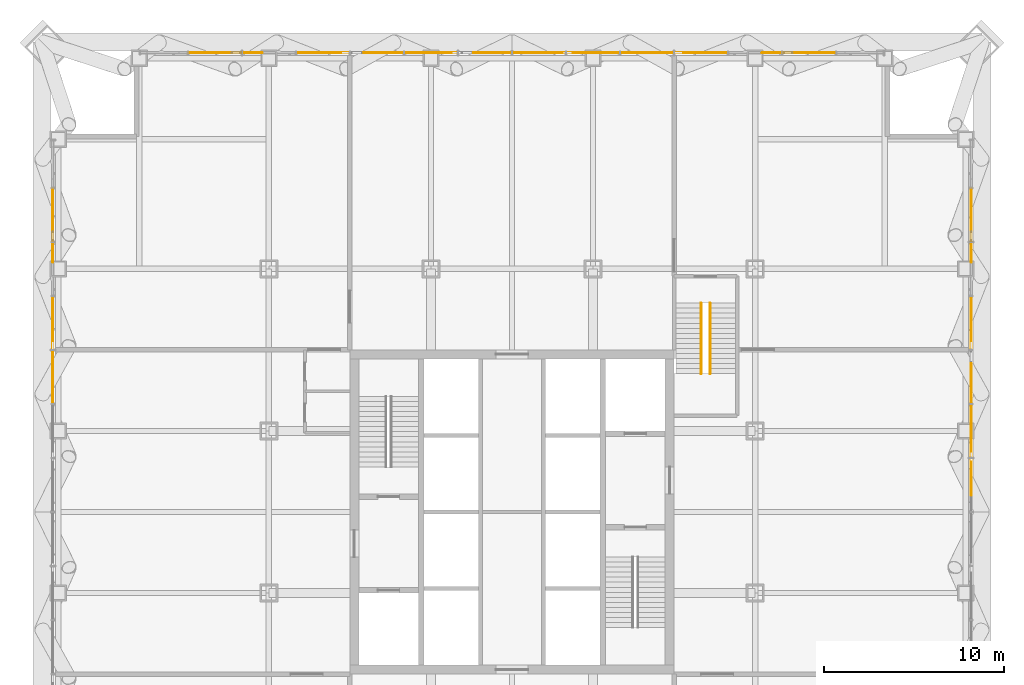
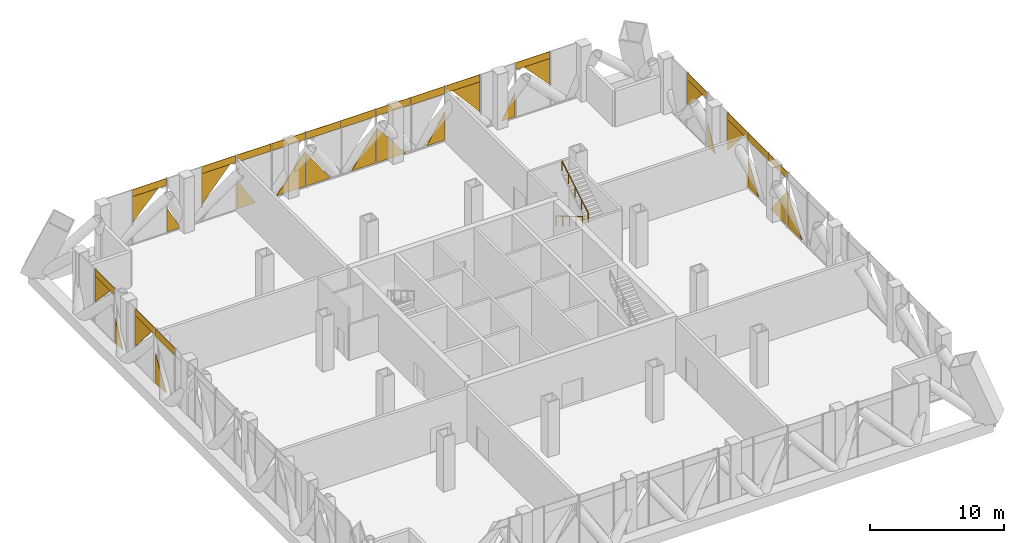
# One storey, part 17 of 26: 39 coverings, 2 railings.
"""IFC4 building model written with IfcOpenShell, lengths in metres."""

from ifc_helpers import new_model, si_unit, direction, frame, origin, origin_2d, place, context, subcontext, project, spatial, polyline, circle, outline, extrude, material, layer, layer_set, type_object, element, save


model = new_model("IFC4")

# Units and contexts
model_context = context("Model", 3, precision=1e-05, world=origin(), true_north=direction((0.0, 1.0)))
body_context = subcontext(model_context, "Body", "Model", "MODEL_VIEW")
ifc_project = project(units=[si_unit("LENGTHUNIT", "METRE"), si_unit("AREAUNIT", "SQUARE_METRE"), si_unit("VOLUMEUNIT", "CUBIC_METRE"), si_unit("PLANEANGLEUNIT", "RADIAN"), si_unit("MASSUNIT", "GRAM", prefix="KILO")], contexts=[model_context])

# Site, building, storey
site_placement = place(None, origin())
site = spatial("IfcSite", under=ifc_project, at=site_placement, CompositionType="ELEMENT")
building_placement = place(site_placement, origin())
building = spatial("IfcBuilding", under=site, at=building_placement, Name="Malebo Sky Hospital", CompositionType="ELEMENT")
storey_placement = place(building_placement, frame((0.0, 0.0, 95.0)))
storey = spatial("IfcBuildingStorey", under=building, at=storey_placement, Name="L22", CompositionType="ELEMENT", Elevation=95.0)

# Coverings
ifc_material_1 = material(Name="Anodised aluminium, natural silver insulated infill panel", Category="aluminium")
ifc_layer = layer(ifc_material_1, 0.0400390625)
ifc_layer_set = layer_set([ifc_layer], Name="BRACE INFILL PANEL 40")
covering_type = type_object("IfcCoveringType", Name="BRACE INFILL PANEL 40", PredefinedType="CLADDING", material=ifc_layer_set)
covering_1_placement = place(storey_placement, frame((43.162353515625, 87.5, 1.97998046875), z_axis=(0.0, 0.0, 1.0), x_axis=(1.0, 0.0, 0.0)))
element("IfcCovering", 1, at=covering_1_placement, inside=storey, type_object=covering_type, Name="Brace infill panel 2.1", PredefinedType="CLADDING", context=body_context, shape_type="SweptSolid", body=[
    extrude(outline(polyline([(-1.124755859375, 0.0), (1.124755859375, 2.38330078125), (-1.124755859375, 2.38330078125), (-1.124755859375, 0.0)])), frame((0.0, 0.02001953125, 0.0), z_axis=(0.0, -1.0, 0.0), x_axis=(1.0, 0.0, 0.0)), (0.0, 0.0, 1.0), 0.0400390625),
])
covering_2_placement = place(storey_placement, frame((43.5, 87.5, 4.36328125), z_axis=(0.0, 0.0, 1.0), x_axis=(1.0, 0.0, 0.0)))
element("IfcCovering", 2, at=covering_2_placement, inside=storey, type_object=covering_type, Name="Brace infill panel 2.2", PredefinedType="CLADDING", context=body_context, shape_type="SweptSolid", body=[
    extrude(outline(polyline([(-1.46240234375, 0.0), (1.46240234375, 0.0), (1.46240234375, 0.626708984375), (-1.46240234375, 0.626708984375), (-1.46240234375, 0.0)])), frame((0.0, 0.02001953125, 0.0), z_axis=(0.0, -1.0, 0.0), x_axis=(1.0, 0.0, 0.0)), (0.0, 0.0, 1.0), 0.0400390625),
])
covering_3_placement = place(storey_placement, frame((45.60205078125, 87.5, 0.10009765625), z_axis=(0.0, 0.0, 1.0), x_axis=(1.0, 0.0, 0.0)))
element("IfcCovering", 3, at=covering_3_placement, inside=storey, type_object=covering_type, Name="Brace infill panel 3.1", PredefinedType="CLADDING", context=body_context, shape_type="SweptSolid", body=[
    extrude(outline(polyline([(-0.564453125, 0.0), (0.564453125, 0.0), (-0.564453125, 2.160888671875), (-0.564453125, 0.0)])), frame((0.0, 0.02001953125, 0.0), z_axis=(0.0, -1.0, 0.0), x_axis=(1.0, 0.0, 0.0)), (0.0, 0.0, 1.0), 0.0400390625),
])
covering_4_placement = place(storey_placement, frame((49.230712890625, 87.5, 1.5751953125), z_axis=(0.0, 0.0, 1.0), x_axis=(1.0, 0.0, 0.0)))
element("IfcCovering", 4, at=covering_4_placement, inside=storey, type_object=covering_type, Name="Brace infill panel 4.1", PredefinedType="CLADDING", context=body_context, shape_type="SweptSolid", body=[
    extrude(outline(polyline([(-1.193115234375, 0.0), (1.193115234375, 2.776123046875), (-1.193115234375, 2.776123046875), (-1.193115234375, 0.0)])), frame((0.0, 0.02001953125, 0.0), z_axis=(0.0, -1.0, 0.0), x_axis=(1.0, 0.0, 0.0)), (0.0, 0.0, 1.0), 0.0400390625),
])
covering_5_placement = place(storey_placement, frame((49.5, 87.5, 4.351318359375), z_axis=(0.0, 0.0, 1.0), x_axis=(1.0, 0.0, 0.0)))
element("IfcCovering", 5, at=covering_5_placement, inside=storey, type_object=covering_type, Name="Brace infill panel 4.2", PredefinedType="CLADDING", context=body_context, shape_type="SweptSolid", body=[
    extrude(outline(polyline([(-1.46240234375, 0.0), (1.46240234375, 0.0), (1.46240234375, 0.638671875), (-1.46240234375, 0.638671875), (-1.46240234375, 0.0)])), frame((0.0, 0.02001953125, 0.0), z_axis=(0.0, -1.0, 0.0), x_axis=(1.0, 0.0, 0.0)), (0.0, 0.0, 1.0), 0.0400390625),
])
covering_6_placement = place(storey_placement, frame((51.83251953125, 87.5, 0.099853515625), z_axis=(0.0, 0.0, 1.0), x_axis=(1.0, 0.0, 0.0)))
element("IfcCovering", 6, at=covering_6_placement, inside=storey, type_object=covering_type, Name="Brace infill panel 5.1", PredefinedType="CLADDING", context=body_context, shape_type="SweptSolid", body=[
    extrude(outline(polyline([(-0.795166015625, 0.0), (0.794921875, 0.0), (-0.795166015625, 2.62060546875), (-0.795166015625, 0.0)])), frame((0.0, 0.02001953125, 0.0), z_axis=(0.0, -1.0, 0.0), x_axis=(1.0, 0.0, 0.0)), (0.0, 0.0, 1.0), 0.0400390625),
])
covering_7_placement = place(storey_placement, frame((52.5, 87.5, 4.351318359375), z_axis=(0.0, 0.0, 1.0), x_axis=(1.0, 0.0, 0.0)))
element("IfcCovering", 7, at=covering_7_placement, inside=storey, type_object=covering_type, Name="Brace infill panel 5.3", PredefinedType="CLADDING", context=body_context, shape_type="SweptSolid", body=[
    extrude(outline(polyline([(-1.46240234375, 0.0), (1.46240234375, 0.0), (1.46240234375, 0.638671875), (-1.46240234375, 0.638671875), (-1.46240234375, 0.0)])), frame((0.0, 0.02001953125, 0.0), z_axis=(0.0, -1.0, 0.0), x_axis=(1.0, 0.0, 0.0)), (0.0, 0.0, 1.0), 0.0400390625),
])
covering_8_placement = place(storey_placement, frame((55.706298828125, 87.5, 0.10009765625), z_axis=(0.0, 0.0, 1.0), x_axis=(1.0, 0.0, 0.0)))
element("IfcCovering", 8, at=covering_8_placement, inside=storey, type_object=covering_type, Name="Brace infill panel 6.1", PredefinedType="CLADDING", context=body_context, shape_type="SweptSolid", body=[
    extrude(outline(polyline([(-1.256103515625, 0.0), (1.256103515625, 0.0), (1.256103515625, 3.0771484375), (1.196533203125, 3.16357421875), (-1.256103515625, 0.0)])), frame((0.0, 0.02001953125, 0.0), z_axis=(0.0, -1.0, 0.0), x_axis=(1.0, 0.0, 0.0)), (0.0, 0.0, 1.0), 0.0400390625),
])
covering_9_placement = place(storey_placement, frame((55.5, 87.5, 4.337890625), z_axis=(0.0, 0.0, 1.0), x_axis=(1.0, 0.0, 0.0)))
element("IfcCovering", 9, at=covering_9_placement, inside=storey, type_object=covering_type, Name="Brace infill panel 6.2", PredefinedType="CLADDING", context=body_context, shape_type="SweptSolid", body=[
    extrude(outline(polyline([(-1.46240234375, 0.0), (1.46240234375, 0.0), (1.46240234375, 0.652099609375), (-1.46240234375, 0.652099609375), (-1.46240234375, 0.0)])), frame((0.0, 0.02001953125, 0.0), z_axis=(0.0, -1.0, 0.0), x_axis=(1.0, 0.0, 0.0)), (0.0, 0.0, 1.0), 0.0400390625),
])
covering_10_placement = place(storey_placement, frame((58.063232421875, 87.5, 0.099853515625), z_axis=(0.0, 0.0, 1.0), x_axis=(1.0, 0.0, 0.0)))
element("IfcCovering", 10, at=covering_10_placement, inside=storey, type_object=covering_type, Name="Brace infill panel 7.1", PredefinedType="CLADDING", context=body_context, shape_type="SweptSolid", body=[
    extrude(outline(polyline([(-1.025634765625, 0.0), (1.025634765625, 0.0), (-1.025634765625, 2.96875), (-1.025634765625, 0.0)])), frame((0.0, 0.02001953125, 0.0), z_axis=(0.0, -1.0, 0.0), x_axis=(1.0, 0.0, 0.0)), (0.0, 0.0, 1.0), 0.0400390625),
])
covering_11_placement = place(storey_placement, frame((58.5, 87.5, 4.337890625), z_axis=(0.0, 0.0, 1.0), x_axis=(1.0, 0.0, 0.0)))
element("IfcCovering", 11, at=covering_11_placement, inside=storey, type_object=covering_type, Name="Brace infill panel 7.2", PredefinedType="CLADDING", context=body_context, shape_type="SweptSolid", body=[
    extrude(outline(polyline([(-1.46240234375, 0.0), (1.46240234375, 0.0), (1.46240234375, 0.652099609375), (-1.46240234375, 0.652099609375), (-1.46240234375, 0.0)])), frame((0.0, 0.02001953125, 0.0), z_axis=(0.0, -1.0, 0.0), x_axis=(1.0, 0.0, 0.0)), (0.0, 0.0, 1.0), 0.0400390625),
])
covering_12_placement = place(storey_placement, frame((61.936767578125, 87.5, 0.099853515625), z_axis=(0.0, 0.0, 1.0), x_axis=(1.0, 0.0, 0.0)))
element("IfcCovering", 12, at=covering_12_placement, inside=storey, type_object=covering_type, Name="Brace infill panel 8.1", PredefinedType="CLADDING", context=body_context, shape_type="SweptSolid", body=[
    extrude(outline(polyline([(-1.025634765625, 0.0), (1.025634765625, 0.0), (1.025634765625, 2.96875), (-1.025634765625, 0.0)])), frame((0.0, 0.02001953125, 0.0), z_axis=(0.0, -1.0, 0.0), x_axis=(1.0, 0.0, 0.0)), (0.0, 0.0, 1.0), 0.0400390625),
])
covering_13_placement = place(storey_placement, frame((61.5, 87.5, 4.3232421875), z_axis=(0.0, 0.0, 1.0), x_axis=(1.0, 0.0, 0.0)))
element("IfcCovering", 13, at=covering_13_placement, inside=storey, type_object=covering_type, Name="Brace infill panel 8.2", PredefinedType="CLADDING", context=body_context, shape_type="SweptSolid", body=[
    extrude(outline(polyline([(-1.46240234375, 0.0), (1.46240234375, 0.0), (1.46240234375, 0.666748046875), (-1.46240234375, 0.666748046875), (-1.46240234375, 0.0)])), frame((0.0, 0.02001953125, 0.0), z_axis=(0.0, -1.0, 0.0), x_axis=(1.0, 0.0, 0.0)), (0.0, 0.0, 1.0), 0.0400390625),
])
covering_14_placement = place(storey_placement, frame((64.293701171875, 87.5, 0.10009765625), z_axis=(0.0, 0.0, 1.0), x_axis=(1.0, 0.0, 0.0)))
element("IfcCovering", 14, at=covering_14_placement, inside=storey, type_object=covering_type, Name="Brace infill panel 9.1", PredefinedType="CLADDING", context=body_context, shape_type="SweptSolid", body=[
    extrude(outline(polyline([(-1.256103515625, 0.0), (1.256103515625, 0.0), (-1.196533203125, 3.16357421875), (-1.256103515625, 3.0771484375), (-1.256103515625, 0.0)])), frame((0.0, 0.02001953125, 0.0), z_axis=(0.0, -1.0, 0.0), x_axis=(1.0, 0.0, 0.0)), (0.0, 0.0, 1.0), 0.0400390625),
])
covering_15_placement = place(storey_placement, frame((64.5, 87.5, 4.337890625), z_axis=(0.0, 0.0, 1.0), x_axis=(1.0, 0.0, 0.0)))
element("IfcCovering", 15, at=covering_15_placement, inside=storey, type_object=covering_type, Name="Brace infill panel 9.2", PredefinedType="CLADDING", context=body_context, shape_type="SweptSolid", body=[
    extrude(outline(polyline([(-1.46240234375, 0.0), (1.46240234375, 0.0), (1.46240234375, 0.652099609375), (-1.46240234375, 0.652099609375), (-1.46240234375, 0.0)])), frame((0.0, 0.02001953125, 0.0), z_axis=(0.0, -1.0, 0.0), x_axis=(1.0, 0.0, 0.0)), (0.0, 0.0, 1.0), 0.0400390625),
])
covering_16_placement = place(storey_placement, frame((68.16748046875, 87.5, 0.099853515625), z_axis=(0.0, 0.0, 1.0), x_axis=(1.0, 0.0, 0.0)))
element("IfcCovering", 16, at=covering_16_placement, inside=storey, type_object=covering_type, Name="Brace infill panel 10.1", PredefinedType="CLADDING", context=body_context, shape_type="SweptSolid", body=[
    extrude(outline(polyline([(-0.794921875, 0.0), (0.795166015625, 0.0), (0.795166015625, 2.62060546875), (-0.794921875, 0.0)])), frame((0.0, 0.02001953125, 0.0), z_axis=(0.0, -1.0, 0.0), x_axis=(1.0, 0.0, 0.0)), (0.0, 0.0, 1.0), 0.0400390625),
])
covering_17_placement = place(storey_placement, frame((67.5, 87.5, 4.307373046875), z_axis=(0.0, 0.0, 1.0), x_axis=(1.0, 0.0, 0.0)))
element("IfcCovering", 17, at=covering_17_placement, inside=storey, type_object=covering_type, Name="Brace infill panel 10.2", PredefinedType="CLADDING", context=body_context, shape_type="SweptSolid", body=[
    extrude(outline(polyline([(-1.46240234375, 0.0), (1.46240234375, 0.0), (1.46240234375, 0.6826171875), (-1.46240234375, 0.6826171875), (-1.46240234375, 0.0)])), frame((0.0, 0.02001953125, 0.0), z_axis=(0.0, -1.0, 0.0), x_axis=(1.0, 0.0, 0.0)), (0.0, 0.0, 1.0), 0.0400390625),
])
covering_18_placement = place(storey_placement, frame((70.769287109375, 87.5, 1.5751953125), z_axis=(0.0, 0.0, 1.0), x_axis=(1.0, 0.0, 0.0)))
element("IfcCovering", 18, at=covering_18_placement, inside=storey, type_object=covering_type, Name="Brace infill panel 11.1", PredefinedType="CLADDING", context=body_context, shape_type="SweptSolid", body=[
    extrude(outline(polyline([(1.193115234375, 0.0), (1.193115234375, 2.776123046875), (-1.193115234375, 2.776123046875), (1.193115234375, 0.0)])), frame((0.0, 0.02001953125, 0.0), z_axis=(0.0, -1.0, 0.0), x_axis=(1.0, 0.0, 0.0)), (0.0, 0.0, 1.0), 0.0400390625),
])
covering_19_placement = place(storey_placement, frame((70.5, 87.5, 4.351318359375), z_axis=(0.0, 0.0, 1.0), x_axis=(1.0, 0.0, 0.0)))
element("IfcCovering", 19, at=covering_19_placement, inside=storey, type_object=covering_type, Name="Brace infill panel 11.2", PredefinedType="CLADDING", context=body_context, shape_type="SweptSolid", body=[
    extrude(outline(polyline([(-1.46240234375, 0.0), (1.46240234375, 0.0), (1.46240234375, 0.638671875), (-1.46240234375, 0.638671875), (-1.46240234375, 0.0)])), frame((0.0, 0.02001953125, 0.0), z_axis=(0.0, -1.0, 0.0), x_axis=(1.0, 0.0, 0.0)), (0.0, 0.0, 1.0), 0.0400390625),
])
covering_20_placement = place(storey_placement, frame((74.39794921875, 87.5, 0.10009765625), z_axis=(0.0, 0.0, 1.0), x_axis=(1.0, 0.0, 0.0)))
element("IfcCovering", 20, at=covering_20_placement, inside=storey, type_object=covering_type, Name="Brace infill panel 12.1", PredefinedType="CLADDING", context=body_context, shape_type="SweptSolid", body=[
    extrude(outline(polyline([(-0.564453125, 0.0), (0.564453125, 0.0), (0.564453125, 2.160888671875), (-0.564453125, 0.0)])), frame((0.0, 0.02001953125, 0.0), z_axis=(0.0, -1.0, 0.0), x_axis=(1.0, 0.0, 0.0)), (0.0, 0.0, 1.0), 0.0400390625),
])
covering_21_placement = place(storey_placement, frame((76.837646484375, 87.5, 1.97998046875), z_axis=(0.0, 0.0, 1.0), x_axis=(1.0, 0.0, 0.0)))
element("IfcCovering", 21, at=covering_21_placement, inside=storey, type_object=covering_type, Name="Brace infill panel 13.1", PredefinedType="CLADDING", context=body_context, shape_type="SweptSolid", body=[
    extrude(outline(polyline([(1.124755859375, 0.0), (1.124755859375, 2.38330078125), (-1.124755859375, 2.38330078125), (1.124755859375, 0.0)])), frame((0.0, 0.02001953125, 0.0), z_axis=(0.0, -1.0, 0.0), x_axis=(1.0, 0.0, 0.0)), (0.0, 0.0, 1.0), 0.0400390625),
])
covering_22_placement = place(storey_placement, frame((76.5, 87.5, 4.36328125), z_axis=(0.0, 0.0, 1.0), x_axis=(1.0, 0.0, 0.0)))
element("IfcCovering", 22, at=covering_22_placement, inside=storey, type_object=covering_type, Name="Brace infill panel 13.2", PredefinedType="CLADDING", context=body_context, shape_type="SweptSolid", body=[
    extrude(outline(polyline([(-1.46240234375, 0.0), (1.46240234375, 0.0), (1.46240234375, 0.626708984375), (-1.46240234375, 0.626708984375), (-1.46240234375, 0.0)])), frame((0.0, 0.02001953125, 0.0), z_axis=(0.0, -1.0, 0.0), x_axis=(1.0, 0.0, 0.0)), (0.0, 0.0, 1.0), 0.0400390625),
])
covering_23_placement = place(storey_placement, frame((34.5, 70.16748046875, 0.099853515625), z_axis=(0.0, 0.0, 1.0), x_axis=(0.0, 1.0, 0.0)))
element("IfcCovering", 23, at=covering_23_placement, inside=storey, type_object=covering_type, Name="Brace infill panel 10.1", PredefinedType="CLADDING", context=body_context, shape_type="SweptSolid", body=[
    extrude(outline(polyline([(-0.794921875, 0.0), (0.795166015625, 0.0), (0.795166015625, 2.62060546875), (-0.794921875, 0.0)])), frame((0.0, 0.02001953125, 0.0), z_axis=(0.0, -1.0, 0.0), x_axis=(1.0, 0.0, 0.0)), (0.0, 0.0, 1.0), 0.0400390625),
])
covering_24_placement = place(storey_placement, frame((34.5, 69.5, 4.307373046875), z_axis=(0.0, 0.0, 1.0), x_axis=(0.0, 1.0, 0.0)))
element("IfcCovering", 24, at=covering_24_placement, inside=storey, type_object=covering_type, Name="Brace infill panel 10.2", PredefinedType="CLADDING", context=body_context, shape_type="SweptSolid", body=[
    extrude(outline(polyline([(-1.46240234375, 0.0), (1.46240234375, 0.0), (1.46240234375, 0.6826171875), (-1.46240234375, 0.6826171875), (-1.46240234375, 0.0)])), frame((0.0, 0.02001953125, 0.0), z_axis=(0.0, -1.0, 0.0), x_axis=(1.0, 0.0, 0.0)), (0.0, 0.0, 1.0), 0.0400390625),
])
covering_25_placement = place(storey_placement, frame((34.5, 72.769287109375, 1.5751953125), z_axis=(0.0, 0.0, 1.0), x_axis=(0.0, 1.0, 0.0)))
element("IfcCovering", 25, at=covering_25_placement, inside=storey, type_object=covering_type, Name="Brace infill panel 11.1", PredefinedType="CLADDING", context=body_context, shape_type="SweptSolid", body=[
    extrude(outline(polyline([(1.193115234375, 0.0), (1.193115234375, 2.776123046875), (-1.193115234375, 2.776123046875), (1.193115234375, 0.0)])), frame((0.0, 0.02001953125, 0.0), z_axis=(0.0, -1.0, 0.0), x_axis=(1.0, 0.0, 0.0)), (0.0, 0.0, 1.0), 0.0400390625),
])
covering_26_placement = place(storey_placement, frame((34.5, 72.5, 4.351318359375), z_axis=(0.0, 0.0, 1.0), x_axis=(0.0, 1.0, 0.0)))
element("IfcCovering", 26, at=covering_26_placement, inside=storey, type_object=covering_type, Name="Brace infill panel 11.2", PredefinedType="CLADDING", context=body_context, shape_type="SweptSolid", body=[
    extrude(outline(polyline([(-1.46240234375, 0.0), (1.46240234375, 0.0), (1.46240234375, 0.638671875), (-1.46240234375, 0.638671875), (-1.46240234375, 0.0)])), frame((0.0, 0.02001953125, 0.0), z_axis=(0.0, -1.0, 0.0), x_axis=(1.0, 0.0, 0.0)), (0.0, 0.0, 1.0), 0.0400390625),
])
covering_27_placement = place(storey_placement, frame((34.5, 76.39794921875, 0.10009765625), z_axis=(0.0, 0.0, 1.0), x_axis=(0.0, 1.0, 0.0)))
element("IfcCovering", 27, at=covering_27_placement, inside=storey, type_object=covering_type, Name="Brace infill panel 12.1", PredefinedType="CLADDING", context=body_context, shape_type="SweptSolid", body=[
    extrude(outline(polyline([(-0.564453125, 0.0), (0.564453125, 0.0), (0.564453125, 2.160888671875), (-0.564453125, 0.0)])), frame((0.0, 0.02001953125, 0.0), z_axis=(0.0, -1.0, 0.0), x_axis=(1.0, 0.0, 0.0)), (0.0, 0.0, 1.0), 0.0400390625),
])
covering_28_placement = place(storey_placement, frame((34.5, 78.837646484375, 1.97998046875), z_axis=(0.0, 0.0, 1.0), x_axis=(0.0, 1.0, 0.0)))
element("IfcCovering", 28, at=covering_28_placement, inside=storey, type_object=covering_type, Name="Brace infill panel 13.1", PredefinedType="CLADDING", context=body_context, shape_type="SweptSolid", body=[
    extrude(outline(polyline([(1.124755859375, 0.0), (1.124755859375, 2.38330078125), (-1.124755859375, 2.38330078125), (1.124755859375, 0.0)])), frame((0.0, 0.02001953125, 0.0), z_axis=(0.0, -1.0, 0.0), x_axis=(1.0, 0.0, 0.0)), (0.0, 0.0, 1.0), 0.0400390625),
])
covering_29_placement = place(storey_placement, frame((34.5, 78.5, 4.36328125), z_axis=(0.0, 0.0, 1.0), x_axis=(0.0, 1.0, 0.0)))
element("IfcCovering", 29, at=covering_29_placement, inside=storey, type_object=covering_type, Name="Brace infill panel 13.2", PredefinedType="CLADDING", context=body_context, shape_type="SweptSolid", body=[
    extrude(outline(polyline([(-1.46240234375, 0.0), (1.46240234375, 0.0), (1.46240234375, 0.626708984375), (-1.46240234375, 0.626708984375), (-1.46240234375, 0.0)])), frame((0.0, 0.02001953125, 0.0), z_axis=(0.0, -1.0, 0.0), x_axis=(1.0, 0.0, 0.0)), (0.0, 0.0, 1.0), 0.0400390625),
])
covering_30_placement = place(storey_placement, frame((85.5, 78.837646484375, 1.97998046875), z_axis=(0.0, 0.0, 1.0), x_axis=(0.0, -1.0, 0.0)))
element("IfcCovering", 30, at=covering_30_placement, inside=storey, type_object=covering_type, Name="Brace infill panel 2.1", PredefinedType="CLADDING", context=body_context, shape_type="SweptSolid", body=[
    extrude(outline(polyline([(-1.124755859375, 0.0), (1.124755859375, 2.38330078125), (-1.124755859375, 2.38330078125), (-1.124755859375, 0.0)])), frame((0.0, 0.02001953125, 0.0), z_axis=(0.0, -1.0, 0.0), x_axis=(1.0, 0.0, 0.0)), (0.0, 0.0, 1.0), 0.0400390625),
])
covering_31_placement = place(storey_placement, frame((85.5, 78.5, 4.36328125), z_axis=(0.0, 0.0, 1.0), x_axis=(0.0, -1.0, 0.0)))
element("IfcCovering", 31, at=covering_31_placement, inside=storey, type_object=covering_type, Name="Brace infill panel 2.2", PredefinedType="CLADDING", context=body_context, shape_type="SweptSolid", body=[
    extrude(outline(polyline([(-1.46240234375, 0.0), (1.46240234375, 0.0), (1.46240234375, 0.626708984375), (-1.46240234375, 0.626708984375), (-1.46240234375, 0.0)])), frame((0.0, 0.02001953125, 0.0), z_axis=(0.0, -1.0, 0.0), x_axis=(1.0, 0.0, 0.0)), (0.0, 0.0, 1.0), 0.0400390625),
])
covering_32_placement = place(storey_placement, frame((85.5, 76.39794921875, 0.10009765625), z_axis=(0.0, 0.0, 1.0), x_axis=(0.0, -1.0, 0.0)))
element("IfcCovering", 32, at=covering_32_placement, inside=storey, type_object=covering_type, Name="Brace infill panel 3.1", PredefinedType="CLADDING", context=body_context, shape_type="SweptSolid", body=[
    extrude(outline(polyline([(-0.564453125, 0.0), (0.564453125, 0.0), (-0.564453125, 2.160888671875), (-0.564453125, 0.0)])), frame((0.0, 0.02001953125, 0.0), z_axis=(0.0, -1.0, 0.0), x_axis=(1.0, 0.0, 0.0)), (0.0, 0.0, 1.0), 0.0400390625),
])
covering_33_placement = place(storey_placement, frame((85.5, 72.769287109375, 1.5751953125), z_axis=(0.0, 0.0, 1.0), x_axis=(0.0, -1.0, 0.0)))
element("IfcCovering", 33, at=covering_33_placement, inside=storey, type_object=covering_type, Name="Brace infill panel 4.1", PredefinedType="CLADDING", context=body_context, shape_type="SweptSolid", body=[
    extrude(outline(polyline([(-1.193115234375, 0.0), (1.193115234375, 2.776123046875), (-1.193115234375, 2.776123046875), (-1.193115234375, 0.0)])), frame((0.0, 0.02001953125, 0.0), z_axis=(0.0, -1.0, 0.0), x_axis=(1.0, 0.0, 0.0)), (0.0, 0.0, 1.0), 0.0400390625),
])
covering_34_placement = place(storey_placement, frame((85.5, 72.5, 4.351318359375), z_axis=(0.0, 0.0, 1.0), x_axis=(0.0, -1.0, 0.0)))
element("IfcCovering", 34, at=covering_34_placement, inside=storey, type_object=covering_type, Name="Brace infill panel 4.2", PredefinedType="CLADDING", context=body_context, shape_type="SweptSolid", body=[
    extrude(outline(polyline([(-1.46240234375, 0.0), (1.46240234375, 0.0), (1.46240234375, 0.638671875), (-1.46240234375, 0.638671875), (-1.46240234375, 0.0)])), frame((0.0, 0.02001953125, 0.0), z_axis=(0.0, -1.0, 0.0), x_axis=(1.0, 0.0, 0.0)), (0.0, 0.0, 1.0), 0.0400390625),
])
covering_35_placement = place(storey_placement, frame((85.5, 70.16748046875, 0.099853515625), z_axis=(0.0, 0.0, 1.0), x_axis=(0.0, -1.0, 0.0)))
element("IfcCovering", 35, at=covering_35_placement, inside=storey, type_object=covering_type, Name="Brace infill panel 5.1", PredefinedType="CLADDING", context=body_context, shape_type="SweptSolid", body=[
    extrude(outline(polyline([(-0.795166015625, 0.0), (0.794921875, 0.0), (-0.795166015625, 2.62060546875), (-0.795166015625, 0.0)])), frame((0.0, 0.02001953125, 0.0), z_axis=(0.0, -1.0, 0.0), x_axis=(1.0, 0.0, 0.0)), (0.0, 0.0, 1.0), 0.0400390625),
])
covering_36_placement = place(storey_placement, frame((85.5, 69.5, 4.337890625), z_axis=(0.0, 0.0, 1.0), x_axis=(0.0, -1.0, 0.0)))
element("IfcCovering", 36, at=covering_36_placement, inside=storey, type_object=covering_type, Name="Brace infill panel 5.3", PredefinedType="CLADDING", context=body_context, shape_type="SweptSolid", body=[
    extrude(outline(polyline([(-1.46240234375, 0.0), (1.46240234375, 0.0), (1.46240234375, 0.652099609375), (-1.46240234375, 0.652099609375), (-1.46240234375, 0.0)])), frame((0.0, 0.02001953125, 0.0), z_axis=(0.0, -1.0, 0.0), x_axis=(1.0, 0.0, 0.0)), (0.0, 0.0, 1.0), 0.0400390625),
])
covering_37_placement = place(storey_placement, frame((85.5, 66.293701171875, 0.10009765625), z_axis=(0.0, 0.0, 1.0), x_axis=(0.0, -1.0, 0.0)))
element("IfcCovering", 37, at=covering_37_placement, inside=storey, type_object=covering_type, Name="Brace infill panel 6.1", PredefinedType="CLADDING", context=body_context, shape_type="SweptSolid", body=[
    extrude(outline(polyline([(-1.256103515625, 0.0), (1.256103515625, 0.0), (1.256103515625, 3.0771484375), (1.196533203125, 3.16357421875), (-1.256103515625, 0.0)])), frame((0.0, 0.02001953125, 0.0), z_axis=(0.0, -1.0, 0.0), x_axis=(1.0, 0.0, 0.0)), (0.0, 0.0, 1.0), 0.0400390625),
])
covering_38_placement = place(storey_placement, frame((85.5, 66.5, 4.337890625), z_axis=(0.0, 0.0, 1.0), x_axis=(0.0, -1.0, 0.0)))
element("IfcCovering", 38, at=covering_38_placement, inside=storey, type_object=covering_type, Name="Brace infill panel 6.2", PredefinedType="CLADDING", context=body_context, shape_type="SweptSolid", body=[
    extrude(outline(polyline([(-1.46240234375, 0.0), (1.46240234375, 0.0), (1.46240234375, 0.652099609375), (-1.46240234375, 0.652099609375), (-1.46240234375, 0.0)])), frame((0.0, 0.02001953125, 0.0), z_axis=(0.0, -1.0, 0.0), x_axis=(1.0, 0.0, 0.0)), (0.0, 0.0, 1.0), 0.0400390625),
])
covering_39_placement = place(storey_placement, frame((85.5, 63.936767578125, 0.099853515625), z_axis=(0.0, 0.0, 1.0), x_axis=(0.0, -1.0, 0.0)))
element("IfcCovering", 39, at=covering_39_placement, inside=storey, type_object=covering_type, Name="Brace infill panel 7.1", PredefinedType="CLADDING", context=body_context, shape_type="SweptSolid", body=[
    extrude(outline(polyline([(-1.025634765625, 0.0), (1.025634765625, 0.0), (-1.025634765625, 2.96875), (-1.025634765625, 0.0)])), frame((0.0, 0.02001953125, 0.0), z_axis=(0.0, -1.0, 0.0), x_axis=(1.0, 0.0, 0.0)), (0.0, 0.0, 1.0), 0.0400390625),
])

# Railings
ifc_material_2 = material(Name="Stainless steel tube", Category="steel")
railing_type = type_object("IfcRailingType", Name="STAIR HANDRAIL 900", PredefinedType="HANDRAIL", material=ifc_material_2)
railing_1_placement = place(storey_placement, frame((70.5, 73.60009765625, 0.166748046875)))
element("IfcRailing", 40, at=railing_1_placement, inside=storey, type_object=railing_type, Name="Stair handrail S3 flight 1", PredefinedType="HANDRAIL", context=body_context, shape_type="SweptSolid", body=[
    extrude(circle(Radius=0.02392578125, at=origin_2d()), frame((0.0, 0.0, 0.8759765625), z_axis=(0.0, -0.859310244771, 0.511454693235), x_axis=(1.0, 0.0, 0.0)), (0.0, 0.0, 1.0), 4.56201171875),
    extrude(circle(Radius=0.02099609375, at=origin_2d()), origin(), (0.0, 0.0, 1.0), 0.851806640625),
    extrude(circle(Radius=0.02099609375, at=origin_2d()), frame((0.0, -0.97998046875, 0.583251953125)), (0.0, 0.0, 1.0), 0.851806640625),
    extrude(circle(Radius=0.02099609375, at=origin_2d()), frame((0.0, -1.9599609375, 1.16650390625)), (0.0, 0.0, 1.0), 0.851806640625),
    extrude(circle(Radius=0.02099609375, at=origin_2d()), frame((0.0, -2.940185546875, 1.75)), (0.0, 0.0, 1.0), 0.851806640625),
    extrude(circle(Radius=0.02099609375, at=origin_2d()), frame((0.0, -3.920166015625, 2.333251953125)), (0.0, 0.0, 1.0), 0.851806640625),
])
railing_2_placement = place(storey_placement, frame((71.0, 69.679931640625, 2.666748046875)))
element("IfcRailing", 41, at=railing_2_placement, inside=storey, type_object=railing_type, Name="Stair handrail S3 flight 2", PredefinedType="HANDRAIL", context=body_context, shape_type="SweptSolid", body=[
    extrude(circle(Radius=0.02392578125, at=origin_2d()), frame((0.0, 0.0, 0.8759765625), z_axis=(0.0, 0.859310244771, 0.511454693235), x_axis=(-1.0, 0.0, 0.0)), (0.0, 0.0, 1.0), 4.56201171875),
    extrude(circle(Radius=0.02099609375, at=origin_2d()), origin(), (0.0, 0.0, 1.0), 0.851806640625),
    extrude(circle(Radius=0.02099609375, at=origin_2d()), frame((0.0, 0.97998046875, 0.583251953125)), (0.0, 0.0, 1.0), 0.851806640625),
    extrude(circle(Radius=0.02099609375, at=origin_2d()), frame((0.0, 1.9599609375, 1.16650390625)), (0.0, 0.0, 1.0), 0.851806640625),
    extrude(circle(Radius=0.02099609375, at=origin_2d()), frame((0.0, 2.940185546875, 1.75)), (0.0, 0.0, 1.0), 0.851806640625),
    extrude(circle(Radius=0.02099609375, at=origin_2d()), frame((0.0, 3.920166015625, 2.333251953125)), (0.0, 0.0, 1.0), 0.851806640625),
])

save(model, "model.ifc")
